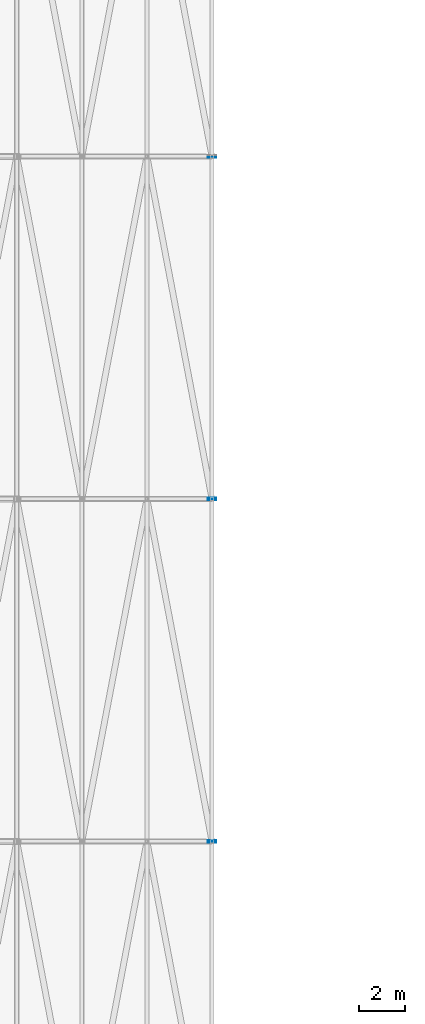
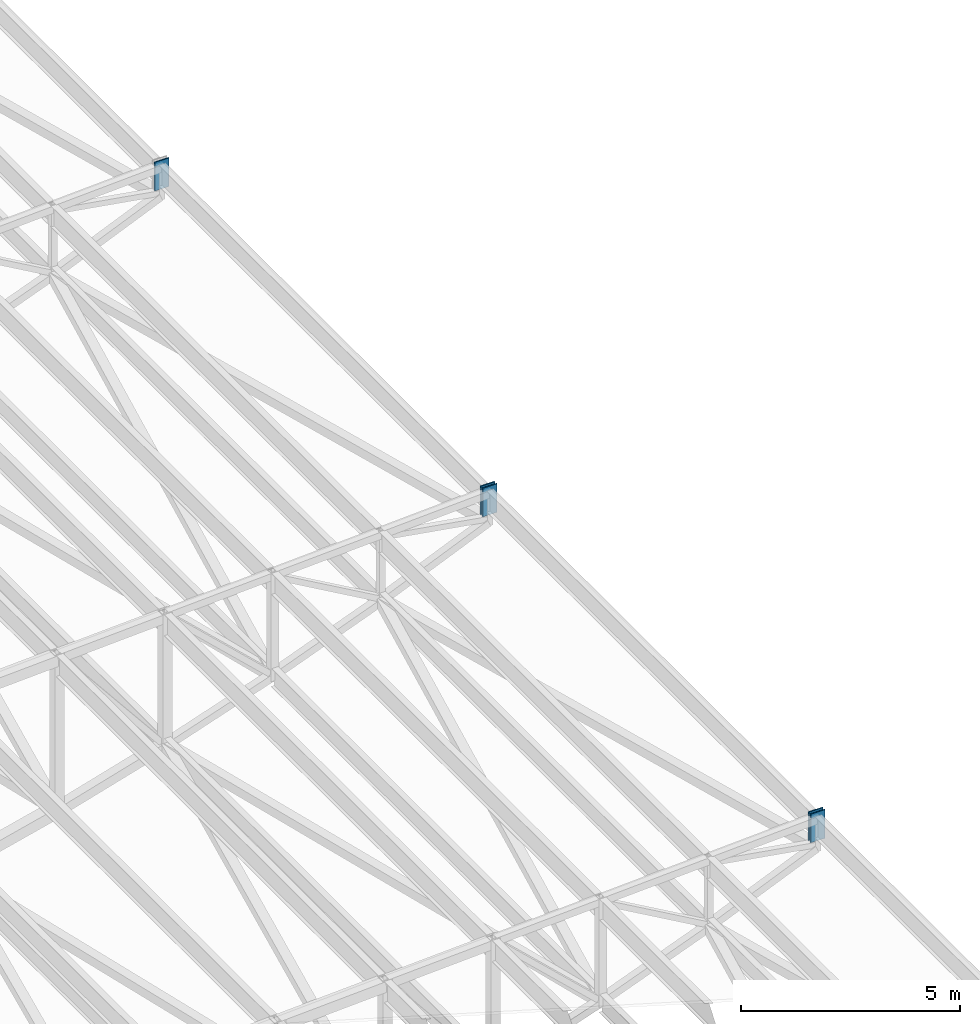
# One storey, part 159 of 278: 5 discrete accessories.
"""IFC4 building model written with IfcOpenShell, lengths in metres."""

from ifc_helpers import new_model, si_unit, direction, frame, origin, origin_2d, place, context, subcontext, project, spatial, rectangle, extrude, material, layer, layer_set, type_object, element, save


model = new_model("IFC4")

# Units and contexts
model_context = context("Model", 3, precision=1e-05, world=origin(), true_north=direction((0.0, 1.0)))
body_context = subcontext(model_context, "Body", "Model", "MODEL_VIEW")
ifc_project = project(units=[si_unit("LENGTHUNIT", "METRE"), si_unit("AREAUNIT", "SQUARE_METRE"), si_unit("VOLUMEUNIT", "CUBIC_METRE"), si_unit("PLANEANGLEUNIT", "RADIAN"), si_unit("MASSUNIT", "GRAM", prefix="KILO")], contexts=[model_context])

# Site, building, storey
site_placement = place(None, origin())
site = spatial("IfcSite", under=ifc_project, at=site_placement, CompositionType="ELEMENT")
building_placement = place(site_placement, origin())
building = spatial("IfcBuilding", under=site, at=building_placement, Name="Ogive Plaza Stadium", CompositionType="ELEMENT")
storey_placement = place(building_placement, frame((0.0, 0.0, 29.0)))
storey = spatial("IfcBuildingStorey", under=building, at=storey_placement, Name="Roof", CompositionType="ELEMENT", Elevation=29.0)

# Discrete accessories
ifc_material = material(Name="Steel ASTM A992 Grade 50", Category="steel")
ifc_layer = layer(ifc_material, 0.030029296875)
ifc_layer_set = layer_set([ifc_layer], Name="Steel ASTM A992 Grade 50")
discrete_accessory_type = type_object("IfcDiscreteAccessoryType", Name="Ring beam end plate 30", PredefinedType="ANCHORPLATE", material=ifc_layer_set)
for number, where, z_axis, x_axis, name in (
    (1, (-45.5, -37.546142578125, 6.7265625), (0.0, 0.0, 1.0), (0.0, 1.0, 0.0), "RING BEAM END PLATE B21 2"),
    (2, (-45.5, -37.453857421875, 6.7265625), (0.0, 0.0, 1.0), (0.0, 1.0, 0.0), "RING BEAM END PLATE B22 1"),
    (3, (-45.5, -22.546142578125, 6.7265625), (0.0, 0.0, 1.0), (0.0, 1.0, 0.0), "RING BEAM END PLATE B22 2"),
    (4, (-45.5, -22.453857421875, 6.7265625), (0.0, 0.0, 1.0), (0.0, 1.0, 0.0), "RING BEAM END PLATE B23 1"),
    (5, (-45.5, -7.546142578125, 6.7265625), (0.0, 0.0, 1.0), (0.0, 1.0, 0.0), "RING BEAM END PLATE B23 2"),
):
    element("IfcDiscreteAccessory", number, at=place(storey_placement, frame(where, z_axis=z_axis, x_axis=x_axis)), inside=storey, type_object=discrete_accessory_type, Name=name, PredefinedType="ANCHORPLATE", context=body_context, shape_type="SweptSolid", body=[
        extrude(rectangle(XDim=0.030029296875, YDim=0.3779296875, at=origin_2d()), origin(), (0.0, 0.0, 1.0), 0.798583984375),
    ])

save(model, "model.ifc")
